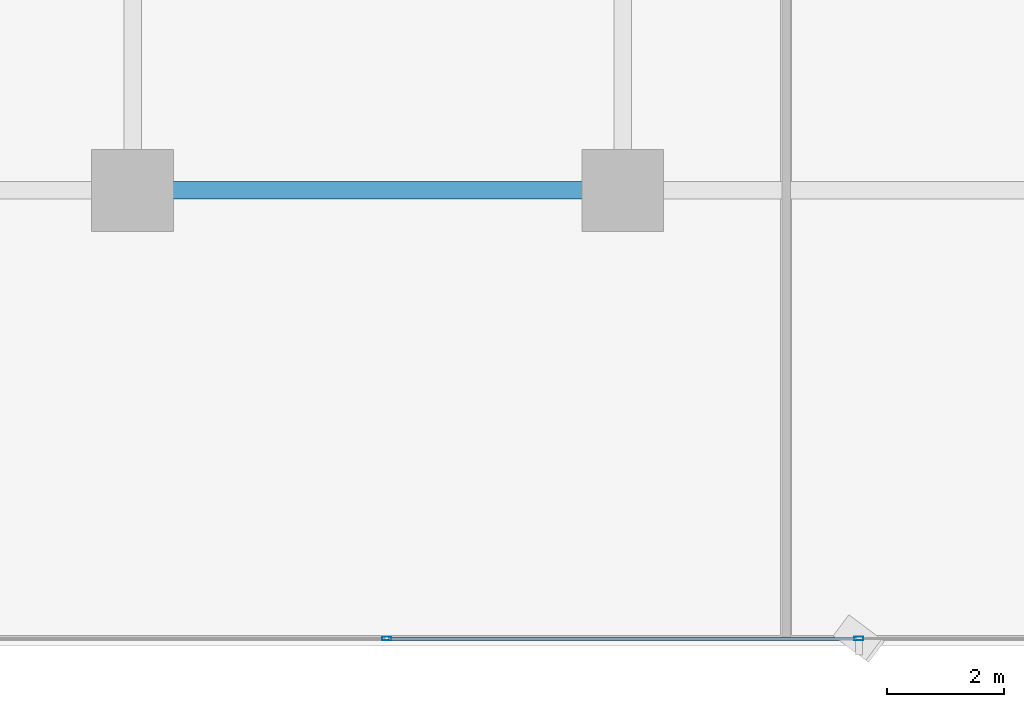
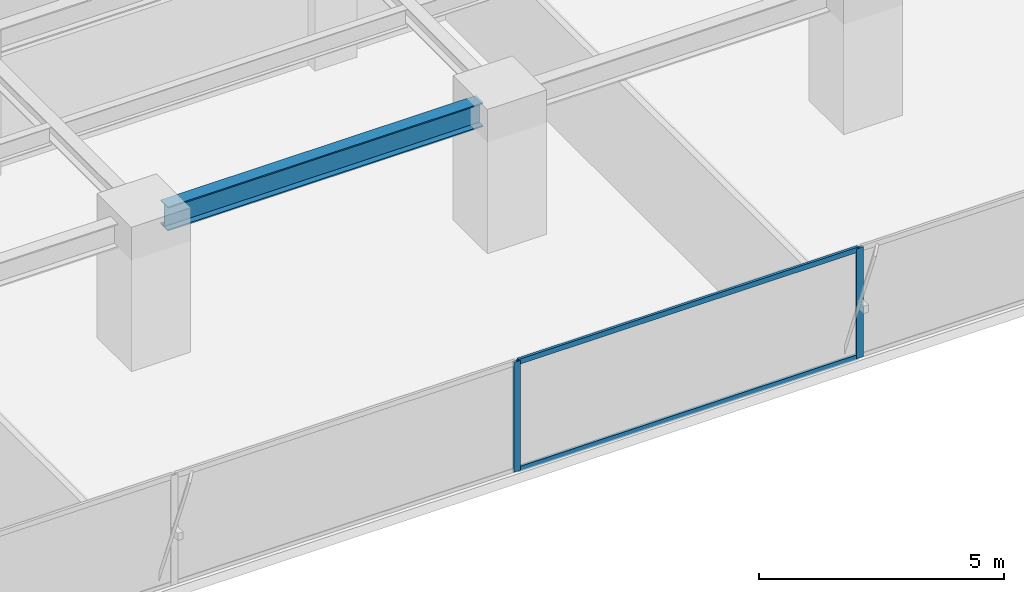
# One storey, part 6 of 36: 4 members, 1 beam, 1 element without a shape of its own.
"""IFC4 building model written with IfcOpenShell, lengths in metres."""

import ifcopenshell
import ifcopenshell.guid

model = None  # the IFC model being written
_history = None  # IfcOwnerHistory: only IFC2X3 demands one
_inside = {}  # id of a spatial element -> (the spatial element, [elements in it])
_under = {}  # id of a project, library or spatial element -> (it, [spatial elements below it])
_declared = {}  # id of a project -> (the project, [libraries it declares])
_typed = {}  # id of a type object -> (the type object, [elements of that type])
_made_of = {}  # id of a material, layer set ... -> (it, [elements and type objects made of it])


def new_model(schema):
    """Start an empty IFC model of exactly this schema.

    Asked for "IFC4X3", IfcOpenShell would pick the latest addendum, in which some entities
    have other attributes; the version numbers below select the first issue.
    IFC2X3 requires an IfcOwnerHistory on every rooted entity: one is made here for all.
    """
    global model, _history
    if schema == "IFC4X3":
        model = ifcopenshell.file(schema_version=(4, 3, 0, 0))
    else:
        model = ifcopenshell.file(schema=schema)
    _inside.clear()
    _under.clear()
    _declared.clear()
    _typed.clear()
    _made_of.clear()
    _history = None
    if model.schema == "IFC2X3":
        org = make("IfcOrganization", Name="unknown")
        user = make(
            "IfcPersonAndOrganization",
            ThePerson=make("IfcPerson", FamilyName="unknown"),
            TheOrganization=org,
        )
        app = make(
            "IfcApplication",
            ApplicationDeveloper=org,
            Version="unknown",
            ApplicationFullName="unknown",
            ApplicationIdentifier="unknown",
        )
        _history = make(
            "IfcOwnerHistory",
            OwningUser=user,
            OwningApplication=app,
            ChangeAction="ADDED",
            CreationDate=0,
        )
    return model


def make(cls, **values):
    """One entity of the class cls with the attributes given. An attribute that is None is left unset."""
    return model.create_entity(
        cls, **{name: value for name, value in values.items() if value is not None}
    )


def rooted(cls, **values):
    """An entity with a GlobalId (a new one), such as an element, a storey or a relation."""
    return make(cls, GlobalId=ifcopenshell.guid.new(), OwnerHistory=_history, **values)


def si_unit(unit_type, name, prefix=None):
    """IfcSIUnit, for example si_unit("LENGTHUNIT", "METRE", prefix="MILLI")."""
    return make("IfcSIUnit", UnitType=unit_type, Prefix=prefix, Name=name)


def assignment(units):
    """IfcUnitAssignment: the units of a project."""
    return None if units is None else make("IfcUnitAssignment", Units=units)


def point(xyz):
    """IfcCartesianPoint."""
    return None if xyz is None else make("IfcCartesianPoint", Coordinates=xyz)


def direction(xyz):
    """IfcDirection."""
    return None if xyz is None else make("IfcDirection", DirectionRatios=xyz)


def frame(location, z_axis=None, x_axis=None):
    """IfcAxis2Placement3D, a coordinate frame: its origin and axes. An axis left out is left unset."""
    return make(
        "IfcAxis2Placement3D",
        Location=point(location),
        Axis=direction(z_axis),
        RefDirection=direction(x_axis),
    )


def frame_2d(location, x_axis=None):
    """IfcAxis2Placement2D, a coordinate frame in the plane: its origin and x axis."""
    return make(
        "IfcAxis2Placement2D", Location=point(location), RefDirection=direction(x_axis)
    )


def origin():
    """The frame at (0, 0, 0) with its axes left unset."""
    return frame((0.0, 0.0, 0.0))


def origin_2d():
    """The frame at (0, 0) in the plane with its x axis left unset."""
    return frame_2d((0.0, 0.0))


def place(relative_to, where):
    """IfcLocalPlacement: puts the frame where relative to a parent placement (None: the world)."""
    return make(
        "IfcLocalPlacement", PlacementRelTo=relative_to, RelativePlacement=where
    )


def context(
    kind, dimensions, precision=None, world=None, true_north=None, identifier=None
):
    """IfcGeometricRepresentationContext, for example the 3D "Model" context."""
    return make(
        "IfcGeometricRepresentationContext",
        ContextIdentifier=identifier,
        ContextType=kind,
        CoordinateSpaceDimension=dimensions,
        Precision=precision,
        WorldCoordinateSystem=world,
        TrueNorth=true_north,
    )


def subcontext(parent, identifier, kind, view, scale=None):
    """IfcGeometricRepresentationSubContext, for example "Body" below "Model"."""
    return make(
        "IfcGeometricRepresentationSubContext",
        ContextIdentifier=identifier,
        ContextType=kind,
        ParentContext=parent,
        TargetScale=scale,
        TargetView=view,
    )


def project(units=None, contexts=None):
    """IfcProject with its units and contexts."""
    return rooted(
        "IfcProject",
        Name="project",
        RepresentationContexts=contexts,
        UnitsInContext=assignment(units),
    )


def spatial(cls, under=None, at=None, **own):
    """A site, building, storey or space (cls), placed at a placement, below another one or the project."""
    s = rooted(cls, ObjectPlacement=at, **own)
    if under is not None:
        _under.setdefault(under.id(), (under, []))[1].append(s)
    return s


def profile(cls, at=None, kind="AREA", **sizes):
    """A parametric profile (cls). Its sizes go by their IFC names, for example OverallWidth=200.0."""
    return make(cls, ProfileType=kind, Position=at, **sizes)


def hollow_rectangle(**sizes):
    """IfcRectangleHollowProfileDef."""
    return profile("IfcRectangleHollowProfileDef", **sizes)


def i_section(**sizes):
    """IfcIShapeProfileDef."""
    return profile("IfcIShapeProfileDef", **sizes)


def extrude(swept, where, along, depth):
    """IfcExtrudedAreaSolid: the profile swept, set in the frame where, extruded along a direction by depth."""
    return make(
        "IfcExtrudedAreaSolid",
        SweptArea=swept,
        Position=where,
        ExtrudedDirection=direction(along),
        Depth=depth,
    )


def shape(context_of_items, identifier, shape_type, items):
    """IfcShapeRepresentation: the items that make up one representation, for example the "Body"."""
    return make(
        "IfcShapeRepresentation",
        ContextOfItems=context_of_items,
        RepresentationIdentifier=identifier,
        RepresentationType=shape_type,
        Items=items,
    )


def source(mapping_origin, context_of_items, identifier, shape_type, items):
    """IfcRepresentationMap: a shape defined once, which mapped items show again and again."""
    return make(
        "IfcRepresentationMap",
        MappingOrigin=mapping_origin,
        MappedRepresentation=shape(context_of_items, identifier, shape_type, items),
    )


def transform(
    local_origin,
    x_axis=None,
    y_axis=None,
    z_axis=None,
    scale=None,
    scale2=None,
    scale3=None,
    uniform=True,
):
    """IfcCartesianTransformationOperator3D, or its non-uniform kind. x_axis, y_axis, z_axis: its Axis1, 2, 3."""
    if uniform:
        return make(
            "IfcCartesianTransformationOperator3D",
            Axis1=direction(x_axis),
            Axis2=direction(y_axis),
            LocalOrigin=point(local_origin),
            Scale=scale,
            Axis3=direction(z_axis),
        )
    return make(
        "IfcCartesianTransformationOperator3DnonUniform",
        Axis1=direction(x_axis),
        Axis2=direction(y_axis),
        LocalOrigin=point(local_origin),
        Scale=scale,
        Axis3=direction(z_axis),
        Scale2=scale2,
        Scale3=scale3,
    )


def mapped(mapping_source, mapping_target):
    """IfcMappedItem: shows the shape of a source again, moved by a transform."""
    return make(
        "IfcMappedItem", MappingSource=mapping_source, MappingTarget=mapping_target
    )


def material(Name=None, Category=None):
    """IfcMaterial."""
    return make("IfcMaterial", Name=Name, Category=Category)


def layer(
    of_material, thickness, ventilated=None, Name=None, Category=None, Priority=None
):
    """IfcMaterialLayer: one layer of a wall or slab, of a material (None: an air gap)."""
    return make(
        "IfcMaterialLayer",
        Material=of_material,
        LayerThickness=thickness,
        IsVentilated=ventilated,
        Name=Name,
        Category=Category,
        Priority=Priority,
    )


def layer_set(layers, Name=None):
    """IfcMaterialLayerSet."""
    return make("IfcMaterialLayerSet", MaterialLayers=layers, LayerSetName=Name)


def material_profile(
    of_material, cross_section, Name=None, Category=None, Priority=None
):
    """IfcMaterialProfile: a cross section and its material."""
    return make(
        "IfcMaterialProfile",
        Name=Name,
        Material=of_material,
        Profile=cross_section,
        Priority=Priority,
        Category=Category,
    )


def profile_set(profiles, Name=None, composite=None):
    """IfcMaterialProfileSet."""
    return make(
        "IfcMaterialProfileSet",
        Name=Name,
        MaterialProfiles=profiles,
        CompositeProfile=composite,
    )


def made_of(thing, what):
    """Note that an element or type object is made of a material, layer set ...; save() writes the relation."""
    if what is not None:
        _made_of.setdefault(what.id(), (what, []))[1].append(thing)
    return thing


def type_object(cls, material=None, **own):
    """A type object (cls), such as IfcWallType, which elements share."""
    return made_of(rooted(cls, **own), material)


def element(
    cls,
    number,
    at=None,
    inside=None,
    cuts=None,
    type_object=None,
    material=None,
    context=None,
    identifier="Body",
    shape_type=None,
    held_by="IfcProductDefinitionShape",
    body=None,
    shapes=None,
    **own,
):
    """One element of the class cls, such as IfcWall. Its Tag is "e" and its number.

    at: its placement. inside: the storey or other place that contains it. cuts: it is an
    opening in that element (IfcRelVoidsElement). A single representation is given by context,
    identifier, shape_type and body (its items); several are given by shapes. held_by: the class
    of the entity that holds the representations. save() writes the other relations.
    """
    e = rooted(cls, Tag="e%d" % number, ObjectPlacement=at, **own)
    if body is not None:
        shapes = [shape(context, identifier, shape_type, body)]
    if shapes is not None:
        e.Representation = make(held_by, Representations=shapes)
    if inside is not None:
        _inside.setdefault(inside.id(), (inside, []))[1].append(e)
    if cuts is not None:
        rooted(
            "IfcRelVoidsElement", RelatingBuildingElement=cuts, RelatedOpeningElement=e
        )
    if type_object is not None:
        _typed.setdefault(type_object.id(), (type_object, []))[1].append(e)
    return made_of(e, material)


def aggregate(whole, parts):
    """IfcRelAggregates: a whole, such as a stair, and the parts it consists of."""
    return rooted("IfcRelAggregates", RelatingObject=whole, RelatedObjects=parts)


def save(model, path):
    """Write the relations noted so far, then the file.

    IfcRelAggregates (storeys below a building ...), IfcRelContainedInSpatialStructure (elements
    in a storey), IfcRelDefinesByType, IfcRelAssociatesMaterial and IfcRelDeclares: one each for
    every whole, place, type object, material and project.
    """
    for whole, parts in _under.values():
        aggregate(whole, parts)
    for where, things in _inside.values():
        rooted(
            "IfcRelContainedInSpatialStructure",
            RelatedElements=things,
            RelatingStructure=where,
        )
    for kind, things in _typed.values():
        rooted("IfcRelDefinesByType", RelatedObjects=things, RelatingType=kind)
    for what, things in _made_of.values():
        rooted("IfcRelAssociatesMaterial", RelatedObjects=things, RelatingMaterial=what)
    for by, libraries in _declared.values():
        rooted("IfcRelDeclares", RelatingContext=by, RelatedDefinitions=libraries)
    model.write(path)


model = new_model("IFC4")

# Units and contexts
model_context = context("Model", 3, precision=1e-05, world=origin(), true_north=direction((0.0, 1.0)))
body_context = subcontext(model_context, "Body", "Model", "MODEL_VIEW")
ifc_project = project(units=[si_unit("LENGTHUNIT", "METRE"), si_unit("AREAUNIT", "SQUARE_METRE"), si_unit("VOLUMEUNIT", "CUBIC_METRE"), si_unit("PLANEANGLEUNIT", "RADIAN"), si_unit("MASSUNIT", "GRAM", prefix="KILO")], contexts=[model_context])

# Site, building, storey
site_placement = place(None, origin())
site = spatial("IfcSite", under=ifc_project, at=site_placement, CompositionType="ELEMENT")
building_placement = place(site_placement, origin())
building = spatial("IfcBuilding", under=site, at=building_placement, Name="Sumidabori Civic Tower", CompositionType="ELEMENT")
storey_placement = place(building_placement, frame((0.0, 0.0, 92.0)))
storey = spatial("IfcBuildingStorey", under=building, at=storey_placement, Name="L23", CompositionType="ELEMENT", Elevation=92.0)

# Beam
ifc_material_1 = material(Name="Steel SN490", Category="steel")
ifc_material_profile_1 = material_profile(ifc_material_1, i_section(OverallWidth=0.300048828125, OverallDepth=0.60009765625, WebThickness=0.015380859375, FlangeThickness=0.030029296875, at=origin_2d()), Name="HE 600 B")
ifc_profile_set_1 = profile_set([ifc_material_profile_1], Name="Steel SN490")
beam_type = type_object("IfcBeamType", Name="BM-GIRD-600", PredefinedType="BEAM", material=ifc_profile_set_1)
shared_shape_1 = source(origin(), body_context, "Body", "SweptSolid", [
    extrude(i_section(OverallWidth=0.300048828125, OverallDepth=0.60009765625, WebThickness=0.015380859375, FlangeThickness=0.030029296875, at=origin_2d()), origin(), (0.0, 0.0, 1.0), 7.43994140625),
])
beam_placement = place(storey_placement, frame((-7.919921875, -18.0, 3.06005859375), z_axis=(1.0, 0.0, 0.0), x_axis=(0.0, 1.0, 0.0)))
element("IfcBeam", 1, at=beam_placement, inside=storey, type_object=beam_type, Name="Primary Girder L23 GX-03", PredefinedType="BEAM", context=body_context, shape_type="MappedRepresentation", body=[
    mapped(shared_shape_1, transform((0.0, 0.0, 0.0), x_axis=(1.0, 0.0, 0.0), y_axis=(0.0, 1.0, 0.0), z_axis=(0.0, 0.0, 1.0), scale=1.0)),
])

# Curtain wall, members
ifc_material_2 = material(Name="Anodised Bronze Aluminium AW-6063-T6", Category="aluminium")
ifc_layer = layer(ifc_material_2, 0.179931640625, Name="Anodised Bronze Aluminium AW-6063-T6")
ifc_layer_set = layer_set([ifc_layer], Name="Anodised Bronze Aluminium AW-6063-T6")
curtain_wall_type = type_object("IfcCurtainWallType", Name="CW-SYS-3", PredefinedType="NOTDEFINED", material=ifc_layer_set)
curtain_wall_placement = place(storey_placement, origin())
curtain_wall = element("IfcCurtainWall", 2, at=curtain_wall_placement, inside=storey, type_object=curtain_wall_type, Name="Curtain Wall CW:L23:R01", PredefinedType="NOTDEFINED")
ifc_material_profile_2 = material_profile(ifc_material_2, hollow_rectangle(XDim=0.06494140625, YDim=0.159912109375, WallThickness=0.0048828125, at=origin_2d()), Name="ALU MULLION 160x65")
ifc_profile_set_2 = profile_set([ifc_material_profile_2], Name="Anodised Bronze Aluminium AW-6063-T6")
member_type_1 = type_object("IfcMemberType", Name="CW-MUL-160", PredefinedType="MULLION", material=ifc_profile_set_2)
shared_shape_2 = source(origin(), body_context, "Body", "SweptSolid", [
    extrude(hollow_rectangle(XDim=0.06494140625, YDim=0.159912109375, WallThickness=0.0048828125, at=origin_2d()), origin(), (0.0, 0.0, 1.0), 2.739990234375),
])
member_1_placement = place(storey_placement, frame((-4.0439453125, -25.679931640625, 0.0), z_axis=(0.0, 0.0, 1.0), x_axis=(0.0, 1.0, 0.0)))
member_1 = element("IfcMember", 3, at=member_1_placement, type_object=member_type_1, Name="CW-3 mullion 3", PredefinedType="MULLION", context=body_context, shape_type="MappedRepresentation", body=[
    mapped(shared_shape_2, transform((0.0, 0.0, 0.0), x_axis=(1.0, 0.0, 0.0), y_axis=(0.0, 1.0, 0.0), z_axis=(0.0, 0.0, 1.0), scale=1.0)),
])
member_2_placement = place(storey_placement, frame((4.0439453125, -25.679931640625, 0.0), z_axis=(0.0, 0.0, 1.0), x_axis=(0.0, 1.0, 0.0)))
member_2 = element("IfcMember", 4, at=member_2_placement, type_object=member_type_1, Name="CW-3 mullion 4", PredefinedType="MULLION", context=body_context, shape_type="MappedRepresentation", body=[
    mapped(shared_shape_2, transform((0.0, 0.0, 0.0), x_axis=(1.0, 0.0, 0.0), y_axis=(0.0, 1.0, 0.0), z_axis=(0.0, 0.0, 1.0), scale=1.0)),
])
ifc_material_profile_3 = material_profile(ifc_material_2, hollow_rectangle(XDim=0.06005859375, YDim=0.1298828125, WallThickness=0.0048828125, at=origin_2d()), Name="ALU TRANSOM 130x60")
ifc_profile_set_3 = profile_set([ifc_material_profile_3], Name="Anodised Bronze Aluminium AW-6063-T6")
member_type_2 = type_object("IfcMemberType", Name="CW-TRN-130", PredefinedType="USERDEFINED", material=ifc_profile_set_3)
shared_shape_3 = source(origin(), body_context, "Body", "SweptSolid", [
    extrude(hollow_rectangle(XDim=0.06005859375, YDim=0.1298828125, WallThickness=0.0048828125, at=origin_2d()), origin(), (0.0, 0.0, 1.0), 8.02294921875),
])
member_3_placement = place(storey_placement, frame((-4.011474609375, -25.679931640625, 0.030029296875), z_axis=(1.0, 0.0, 0.0), x_axis=(0.0, 1.0, 0.0)))
member_3 = element("IfcMember", 5, at=member_3_placement, type_object=member_type_2, Name="CW-3 transom 3.1", ObjectType="TRANSOM", PredefinedType="USERDEFINED", context=body_context, shape_type="MappedRepresentation", body=[
    mapped(shared_shape_3, transform((0.0, 0.0, 0.0), x_axis=(1.0, 0.0, 0.0), y_axis=(0.0, 1.0, 0.0), z_axis=(0.0, 0.0, 1.0), scale=1.0)),
])
member_4_placement = place(storey_placement, frame((-4.011474609375, -25.679931640625, 2.7099609375), z_axis=(1.0, 0.0, 0.0), x_axis=(0.0, 1.0, 0.0)))
member_4 = element("IfcMember", 6, at=member_4_placement, type_object=member_type_2, Name="CW-3 transom 3.2", ObjectType="TRANSOM", PredefinedType="USERDEFINED", context=body_context, shape_type="MappedRepresentation", body=[
    mapped(shared_shape_3, transform((0.0, 0.0, 0.0), x_axis=(1.0, 0.0, 0.0), y_axis=(0.0, 1.0, 0.0), z_axis=(0.0, 0.0, 1.0), scale=1.0)),
])
aggregate(curtain_wall, [member_1, member_2, member_3, member_4])

save(model, "model.ifc")
